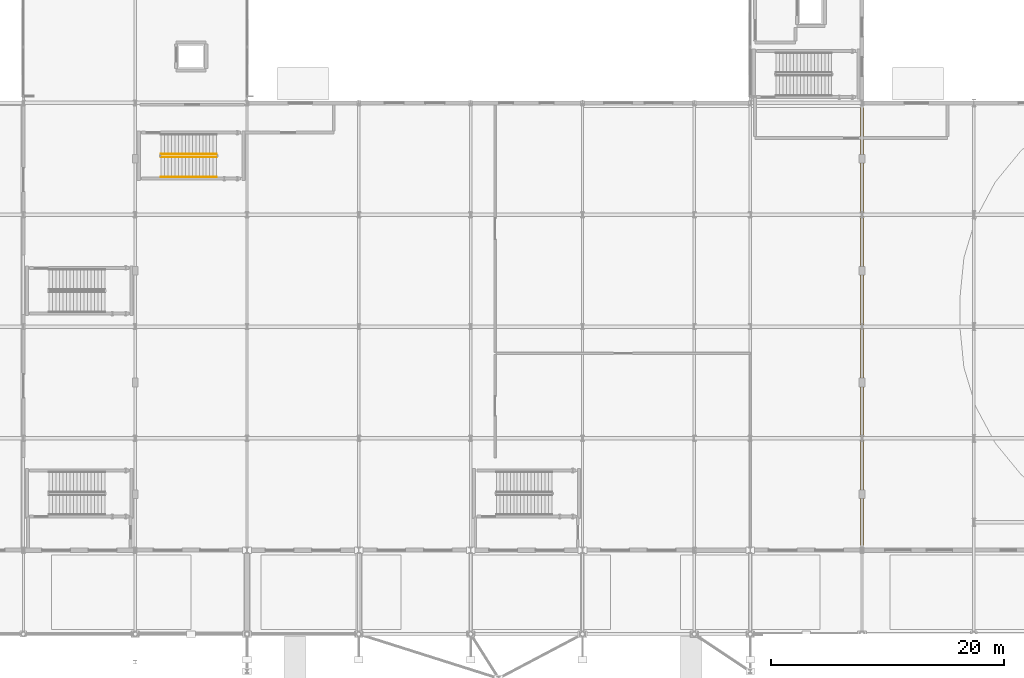
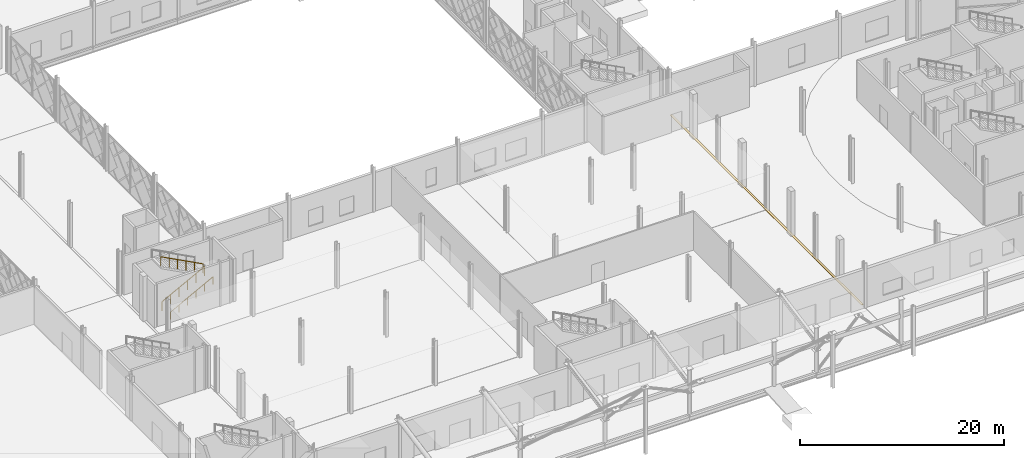
# One storey, part 69 of 84: 3 railings, 1 covering.
"""IFC4 building model written with IfcOpenShell, lengths in metres."""

from ifc_helpers import new_model, si_unit, direction, frame, origin, origin_2d, place, context, subcontext, project, spatial, polyline, circle, outline, extrude, material, layer, layer_set, type_object, element, save


model = new_model("IFC4")

# Units and contexts
model_context = context("Model", 3, precision=1e-05, world=origin(), true_north=direction((0.0, 1.0)))
body_context = subcontext(model_context, "Body", "Model", "MODEL_VIEW")
ifc_project = project(units=[si_unit("LENGTHUNIT", "METRE"), si_unit("AREAUNIT", "SQUARE_METRE"), si_unit("VOLUMEUNIT", "CUBIC_METRE"), si_unit("PLANEANGLEUNIT", "RADIAN"), si_unit("MASSUNIT", "GRAM", prefix="KILO")], contexts=[model_context])

# Site, building, storey
site_placement = place(None, origin())
site = spatial("IfcSite", under=ifc_project, at=site_placement, CompositionType="ELEMENT")
building_placement = place(site_placement, origin())
building = spatial("IfcBuilding", under=site, at=building_placement, Name="Zevrakil Square Congress Hotel", CompositionType="ELEMENT")
storey_placement = place(building_placement, origin())
storey = spatial("IfcBuildingStorey", under=building, at=storey_placement, Name="L01", CompositionType="ELEMENT", Elevation=0.0)

# Covering
ifc_material_1 = material(Name="Honed Addis Basalt Stone Flooring", Category="masonry")
ifc_layer = layer(ifc_material_1, 0.030029296875)
ifc_layer_set = layer_set([ifc_layer], Name="Honed Addis Basalt Stone Flooring")
covering_type = type_object("IfcCoveringType", Name="COV-FLOR-BASALT-030", PredefinedType="FLOORING", material=ifc_layer_set)
covering_placement = place(storey_placement, origin())
element("IfcCovering", 1, at=covering_placement, inside=storey, type_object=covering_type, Name="L01 flush movement-joint floor cover plate 06", PredefinedType="FLOORING", context=body_context, shape_type="SweptSolid", body=[
    extrude(outline(polyline([(117.47998046875, 7.60009765625), (117.719970703125, 7.60009765625), (117.719970703125, 45.199951171875), (117.47998046875, 45.199951171875), (117.47998046875, 7.60009765625)])), origin(), (0.0, 0.0, 1.0), 0.030029296875),
])

# Railings
ifc_material_2 = material(Name="Steel S355", Category="steel")
railing_type_1 = type_object("IfcRailingType", Name="RLG-STAIR-GUARD-1100", PredefinedType="BALUSTRADE", material=ifc_material_2)
railing_1_placement = place(storey_placement, frame((57.39990234375, 40.949951171875, 0.158935546875)))
element("IfcRailing", 2, at=railing_1_placement, inside=storey, type_object=railing_type_1, Name="L01 ST04 stair guard 1", PredefinedType="BALUSTRADE", context=body_context, shape_type="SweptSolid", body=[
    extrude(circle(Radius=0.02392578125, at=origin_2d()), frame((0.0, 0.0, 1.076171875), z_axis=(0.883802130504, 0.0, 0.467860870469), x_axis=(0.0, 1.0, 0.0)), (0.0, 0.0, 1.0), 5.43115234375),
    extrude(circle(Radius=0.02099609375, at=origin_2d()), origin(), (0.0, 0.0, 1.0), 1.052001953125),
    extrude(circle(Radius=0.02099609375, at=origin_2d()), frame((0.9599609375, 0.0, 0.50830078125)), (0.0, 0.0, 1.0), 1.052001953125),
    extrude(circle(Radius=0.02099609375, at=origin_2d()), frame((1.919921875, 0.0, 1.016357421875)), (0.0, 0.0, 1.0), 1.052001953125),
    extrude(circle(Radius=0.02099609375, at=origin_2d()), frame((2.880126953125, 0.0, 1.524658203125)), (0.0, 0.0, 1.0), 1.052001953125),
    extrude(circle(Radius=0.02099609375, at=origin_2d()), frame((3.840087890625, 0.0, 2.03271484375)), (0.0, 0.0, 1.0), 1.052001953125),
    extrude(circle(Radius=0.02099609375, at=origin_2d()), frame((4.800048828125, 0.0, 2.541015625)), (0.0, 0.0, 1.0), 1.052001953125),
])
railing_2_placement = place(storey_placement, frame((62.199951171875, 41.199951171875, 2.85888671875)))
element("IfcRailing", 3, at=railing_2_placement, inside=storey, type_object=railing_type_1, Name="L01 ST04 stair guard 3", PredefinedType="BALUSTRADE", context=body_context, shape_type="SweptSolid", body=[
    extrude(circle(Radius=0.02392578125, at=origin_2d()), frame((0.0, 0.0, 1.076171875), z_axis=(-0.883802130504, 0.0, 0.467860870469), x_axis=(0.0, -1.0, 0.0)), (0.0, 0.0, 1.0), 5.43115234375),
    extrude(circle(Radius=0.02099609375, at=origin_2d()), origin(), (0.0, 0.0, 1.0), 1.052001953125),
    extrude(circle(Radius=0.02099609375, at=origin_2d()), frame((-0.9599609375, 0.0, 0.50830078125)), (0.0, 0.0, 1.0), 1.052001953125),
    extrude(circle(Radius=0.02099609375, at=origin_2d()), frame((-1.919921875, 0.0, 1.016357421875)), (0.0, 0.0, 1.0), 1.052001953125),
    extrude(circle(Radius=0.02099609375, at=origin_2d()), frame((-2.880126953125, 0.0, 1.524658203125)), (0.0, 0.0, 1.0), 1.052001953125),
    extrude(circle(Radius=0.02099609375, at=origin_2d()), frame((-3.840087890625, 0.0, 2.03271484375)), (0.0, 0.0, 1.0), 1.052001953125),
    extrude(circle(Radius=0.02099609375, at=origin_2d()), frame((-4.800048828125, 0.0, 2.541015625)), (0.0, 0.0, 1.0), 1.052001953125),
])
ifc_material_3 = material(Name="Steel S355", Category="steel")
railing_type_2 = type_object("IfcRailingType", Name="RLG-STAIR-HAND-900", PredefinedType="HANDRAIL", material=ifc_material_3)
railing_3_placement = place(storey_placement, frame((57.39990234375, 39.25, 0.158935546875)))
element("IfcRailing", 4, at=railing_3_placement, inside=storey, type_object=railing_type_2, Name="L01 ST04 stair handrail 1", PredefinedType="HANDRAIL", context=body_context, shape_type="SweptSolid", body=[
    extrude(circle(Radius=0.02392578125, at=origin_2d()), frame((0.0, 0.0, 0.8759765625), z_axis=(0.883802130504, 0.0, 0.467860870469), x_axis=(0.0, 1.0, 0.0)), (0.0, 0.0, 1.0), 5.43115234375),
    extrude(circle(Radius=0.02099609375, at=origin_2d()), origin(), (0.0, 0.0, 1.0), 0.851806640625),
    extrude(circle(Radius=0.02099609375, at=origin_2d()), frame((0.9599609375, 0.0, 0.50830078125)), (0.0, 0.0, 1.0), 0.851806640625),
    extrude(circle(Radius=0.02099609375, at=origin_2d()), frame((1.919921875, 0.0, 1.016357421875)), (0.0, 0.0, 1.0), 0.851806640625),
    extrude(circle(Radius=0.02099609375, at=origin_2d()), frame((2.880126953125, 0.0, 1.524658203125)), (0.0, 0.0, 1.0), 0.851806640625),
    extrude(circle(Radius=0.02099609375, at=origin_2d()), frame((3.840087890625, 0.0, 2.03271484375)), (0.0, 0.0, 1.0), 0.851806640625),
    extrude(circle(Radius=0.02099609375, at=origin_2d()), frame((4.800048828125, 0.0, 2.541015625)), (0.0, 0.0, 1.0), 0.851806640625),
])

save(model, "model.ifc")
